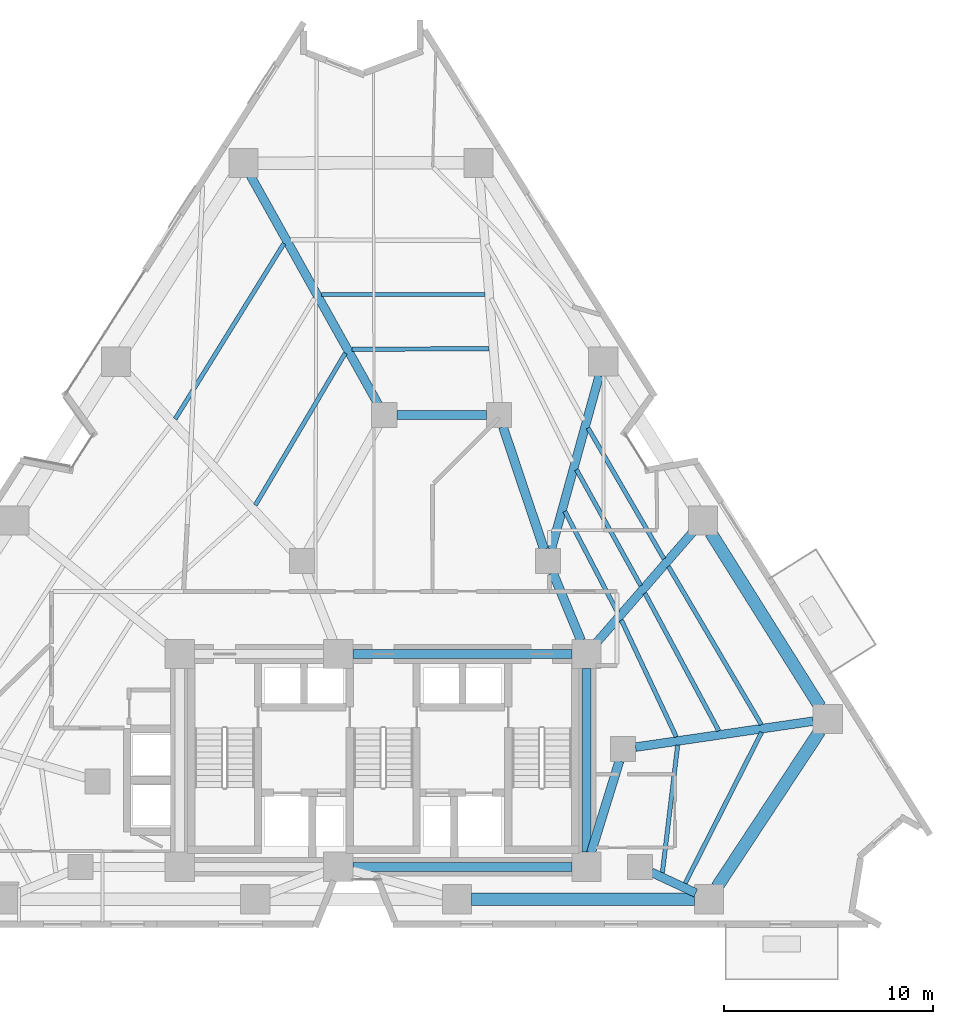
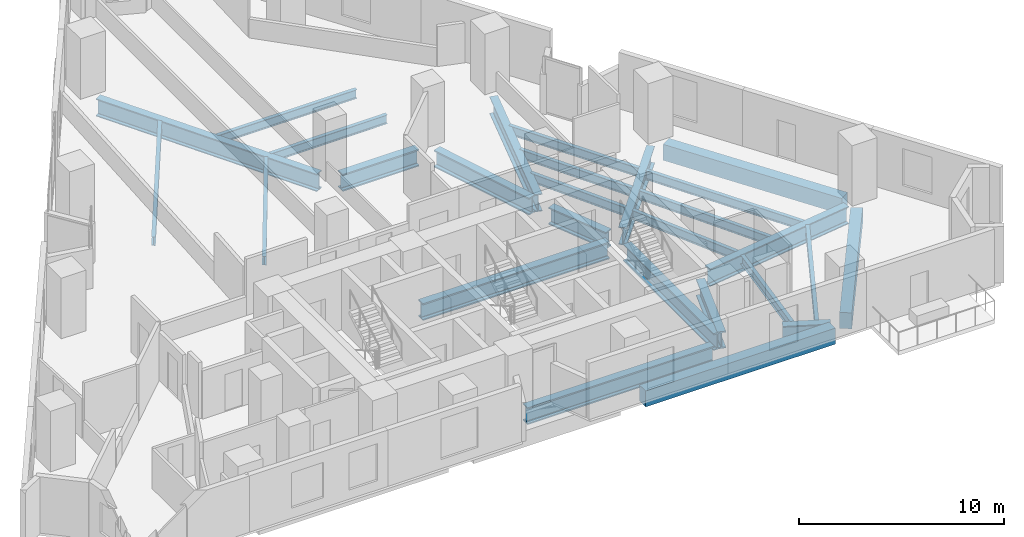
# One storey, part 3 of 12: 27 beams.
"""IFC4 building model written with IfcOpenShell, lengths in metres."""

from ifc_helpers import new_model, si_unit, direction, frame, origin, origin_2d, place, context, subcontext, project, spatial, rectangle, i_section, extrude, material, material_profile, profile_set, type_object, element, save


model = new_model("IFC4")

# Units and contexts
model_context = context("Model", 3, precision=1e-05, world=origin(), true_north=direction((0.0, 1.0)))
body_context = subcontext(model_context, "Body", "Model", "MODEL_VIEW")
ifc_project = project(units=[si_unit("LENGTHUNIT", "METRE"), si_unit("AREAUNIT", "SQUARE_METRE"), si_unit("VOLUMEUNIT", "CUBIC_METRE"), si_unit("PLANEANGLEUNIT", "RADIAN"), si_unit("MASSUNIT", "GRAM", prefix="KILO")], contexts=[model_context])

# Site, building, storey
site_placement = place(None, origin())
site = spatial("IfcSite", under=ifc_project, at=site_placement, CompositionType="ELEMENT")
building_placement = place(site_placement, origin())
building = spatial("IfcBuilding", under=site, at=building_placement, Name="Almagre Mirador Tower", CompositionType="ELEMENT")
storey_placement = place(building_placement, frame((0.0, 0.0, 71.39990234375)))
storey = spatial("IfcBuildingStorey", under=building, at=storey_placement, Name="L17", CompositionType="ELEMENT", Elevation=71.39990234375)

# Beams
ifc_material_1 = material(Name="Steel ASTM A992 Grade 50", Category="steel")
ifc_material_profile_1 = material_profile(ifc_material_1, i_section(OverallWidth=0.208984375, OverallDepth=0.532958984375, WebThickness=0.01025390625, FlangeThickness=0.015625, FilletRadius=0.01806640625, at=origin_2d()), Name="W21X62")
ifc_profile_set_1 = profile_set([ifc_material_profile_1], Name="Steel ASTM A992 Grade 50")
beam_type_1 = type_object("IfcBeamType", Name="BM-JST-W21X62", PredefinedType="JOIST", material=ifc_profile_set_1)
beam_1_placement = place(storey_placement, frame((51.77490234375, 3.763427734375, -0.516357421875), z_axis=(0.45132909199, 0.892357580079, 0.0), x_axis=(-0.892357580079, 0.45132909199, 0.0)))
element("IfcBeam", 1, at=beam_1_placement, inside=storey, type_object=beam_type_1, Name="L17 secondary floor joist PC04-PC05.1", PredefinedType="JOIST", context=body_context, shape_type="SweptSolid", body=[
    extrude(i_section(OverallWidth=0.208984375, OverallDepth=0.532958984375, WebThickness=0.01025390625, FlangeThickness=0.015625, FilletRadius=0.01806640625, at=origin_2d()), origin(), (0.0, 0.0, 1.0), 8.10595703125),
])
beam_2_placement = place(storey_placement, frame((50.6806640625, 4.263916015625, -0.516357421875), z_axis=(0.119026397741, 0.99289109002, 0.0), x_axis=(-0.99289109002, 0.119026397741, 0.0)))
element("IfcBeam", 2, at=beam_2_placement, inside=storey, type_object=beam_type_1, Name="L17 secondary floor joist PC04-PC05.3", PredefinedType="JOIST", context=body_context, shape_type="SweptSolid", body=[
    extrude(i_section(OverallWidth=0.208984375, OverallDepth=0.532958984375, WebThickness=0.01025390625, FlangeThickness=0.015625, FilletRadius=0.01806640625, at=origin_2d()), origin(), (0.0, 0.0, 1.0), 6.157470703125),
])
beam_3_placement = place(storey_placement, frame((55.421875, 11.364501953125, -0.516357421875), z_axis=(-0.506385486281, 0.86230721862, 0.0), x_axis=(-0.86230721862, -0.506385486281, 0.0)))
element("IfcBeam", 3, at=beam_3_placement, inside=storey, type_object=beam_type_1, Name="L17 secondary floor joist PC05-PC06.1", PredefinedType="JOIST", context=body_context, shape_type="SweptSolid", body=[
    extrude(i_section(OverallWidth=0.208984375, OverallDepth=0.532958984375, WebThickness=0.01025390625, FlangeThickness=0.015625, FilletRadius=0.01806640625, at=origin_2d()), origin(), (0.0, 0.0, 1.0), 8.79443359375),
])
beam_4_placement = place(storey_placement, frame((53.384033203125, 11.0693359375, -0.516357421875), z_axis=(-0.473167442946, 0.880972514291, 0.0), x_axis=(-0.880972514291, -0.473167442946, 0.0)))
element("IfcBeam", 4, at=beam_4_placement, inside=storey, type_object=beam_type_1, Name="L17 secondary floor joist PC05-PC06.2", PredefinedType="JOIST", context=body_context, shape_type="SweptSolid", body=[
    extrude(i_section(OverallWidth=0.208984375, OverallDepth=0.532958984375, WebThickness=0.01025390625, FlangeThickness=0.015625, FilletRadius=0.01806640625, at=origin_2d()), origin(), (0.0, 0.0, 1.0), 7.481689453125),
])
beam_5_placement = place(storey_placement, frame((51.34912109375, 10.775390625, -0.516357421875), z_axis=(-0.425658253991, 0.904883998538, 0.0), x_axis=(-0.904883998538, -0.425658253991, 0.0)))
element("IfcBeam", 5, at=beam_5_placement, inside=storey, type_object=beam_type_1, Name="L17 secondary floor joist PC05-PC06.3", PredefinedType="JOIST", context=body_context, shape_type="SweptSolid", body=[
    extrude(i_section(OverallWidth=0.208984375, OverallDepth=0.532958984375, WebThickness=0.01025390625, FlangeThickness=0.015625, FilletRadius=0.01806640625, at=origin_2d()), origin(), (0.0, 0.0, 1.0), 6.184814453125),
])
beam_6_placement = place(storey_placement, frame((50.75732421875, 19.309814453125, -0.516357421875), z_axis=(-0.501684848086, 0.865050468586, 0.0), x_axis=(-0.865050468586, -0.501684848086, 0.0)))
element("IfcBeam", 6, at=beam_6_placement, inside=storey, type_object=beam_type_1, Name="L17 secondary floor joist PC06-PC07.1", PredefinedType="JOIST", context=body_context, shape_type="SweptSolid", body=[
    extrude(i_section(OverallWidth=0.208984375, OverallDepth=0.532958984375, WebThickness=0.01025390625, FlangeThickness=0.015625, FilletRadius=0.01806640625, at=origin_2d()), origin(), (0.0, 0.0, 1.0), 7.25439453125),
])
beam_7_placement = place(storey_placement, frame((49.643310546875, 18.0283203125, -0.516357421875), z_axis=(-0.484660833116, 0.87470216465, 0.0), x_axis=(-0.87470216465, -0.484660833116, 0.0)))
element("IfcBeam", 7, at=beam_7_placement, inside=storey, type_object=beam_type_1, Name="L17 secondary floor joist PC06-PC07.2", PredefinedType="JOIST", context=body_context, shape_type="SweptSolid", body=[
    extrude(i_section(OverallWidth=0.208984375, OverallDepth=0.532958984375, WebThickness=0.01025390625, FlangeThickness=0.015625, FilletRadius=0.01806640625, at=origin_2d()), origin(), (0.0, 0.0, 1.0), 6.355224609375),
])
beam_8_placement = place(storey_placement, frame((48.530517578125, 16.747314453125, -0.516357421875), z_axis=(-0.462141076128, 0.88680641955, 0.0), x_axis=(-0.88680641955, -0.462141076128, 0.0)))
element("IfcBeam", 8, at=beam_8_placement, inside=storey, type_object=beam_type_1, Name="L17 secondary floor joist PC06-PC07.3", PredefinedType="JOIST", context=body_context, shape_type="SweptSolid", body=[
    extrude(i_section(OverallWidth=0.208984375, OverallDepth=0.532958984375, WebThickness=0.01025390625, FlangeThickness=0.015625, FilletRadius=0.01806640625, at=origin_2d()), origin(), (0.0, 0.0, 1.0), 5.459228515625),
])
beam_9_placement = place(storey_placement, frame((42.168212890625, 31.979248046875, -0.516357421875), z_axis=(-0.999999987869, -0.000155763238, 0.0), x_axis=(0.000155763238, -0.999999987869, 0.0)))
element("IfcBeam", 9, at=beam_9_placement, inside=storey, type_object=beam_type_1, Name="L17 secondary floor joist PC08-PC09.2", PredefinedType="JOIST", context=body_context, shape_type="SweptSolid", body=[
    extrude(i_section(OverallWidth=0.208984375, OverallDepth=0.532958984375, WebThickness=0.01025390625, FlangeThickness=0.015625, FilletRadius=0.01806640625, at=origin_2d()), origin(), (0.0, 0.0, 1.0), 7.8369140625),
])
beam_10_placement = place(storey_placement, frame((42.3798828125, 29.387451171875, -0.516357421875), z_axis=(-0.999985531686, -0.0053792581, 0.0), x_axis=(0.0053792581, -0.999985531686, 0.0)))
element("IfcBeam", 10, at=beam_10_placement, inside=storey, type_object=beam_type_1, Name="L17 secondary floor joist PC08-PC09.3", PredefinedType="JOIST", context=body_context, shape_type="SweptSolid", body=[
    extrude(i_section(OverallWidth=0.208984375, OverallDepth=0.532958984375, WebThickness=0.01025390625, FlangeThickness=0.015625, FilletRadius=0.01806640625, at=origin_2d()), origin(), (0.0, 0.0, 1.0), 6.580810546875),
])
beam_11_placement = place(storey_placement, frame((32.54345703125, 34.427001953125, -0.516357421875), z_axis=(-0.526750382105, -0.850020020324, 0.0), x_axis=(0.850020020324, -0.526750382105, 0.0)))
element("IfcBeam", 11, at=beam_11_placement, inside=storey, type_object=beam_type_1, Name="L17 secondary floor joist PC09-PC10.1", PredefinedType="JOIST", context=body_context, shape_type="SweptSolid", body=[
    extrude(i_section(OverallWidth=0.208984375, OverallDepth=0.532958984375, WebThickness=0.01025390625, FlangeThickness=0.015625, FilletRadius=0.01806640625, at=origin_2d()), origin(), (0.0, 0.0, 1.0), 9.89501953125),
])
beam_12_placement = place(storey_placement, frame((35.48291015625, 29.17041015625, -0.516357421875), z_axis=(-0.509081080746, -0.860718567957, 0.0), x_axis=(0.860718567957, -0.509081080746, 0.0)))
element("IfcBeam", 12, at=beam_12_placement, inside=storey, type_object=beam_type_1, Name="L17 secondary floor joist PC09-PC10.3", PredefinedType="JOIST", context=body_context, shape_type="SweptSolid", body=[
    extrude(i_section(OverallWidth=0.208984375, OverallDepth=0.532958984375, WebThickness=0.01025390625, FlangeThickness=0.015625, FilletRadius=0.01806640625, at=origin_2d()), origin(), (0.0, 0.0, 1.0), 8.46337890625),
])
ifc_material_2 = material(Name="Precast concrete C50/60", Category="concrete")
ifc_material_profile_2 = material_profile(ifc_material_2, rectangle(XDim=0.60009765625, YDim=0.949951171875, at=origin_2d()), Name="RC600X950")
ifc_profile_set_2 = profile_set([ifc_material_profile_2], Name="Precast concrete C50/60")
beam_type_2 = type_object("IfcBeamType", Name="BM-SPN-RC600X950", PredefinedType="SPANDREL", material=ifc_profile_set_2)
beam_13_placement = place(storey_placement, frame((41.531982421875, 3.0, -0.724853515625), z_axis=(1.0, 0.0, 0.0), x_axis=(0.0, 1.0, 0.0)))
element("IfcBeam", 13, at=beam_13_placement, inside=storey, type_object=beam_type_2, Name="L17 perimeter spandrel beam PC03-PC04", PredefinedType="SPANDREL", context=body_context, shape_type="SweptSolid", body=[
    extrude(rectangle(XDim=0.60009765625, YDim=0.949951171875, at=origin_2d()), origin(), (0.0, 0.0, 1.0), 10.679931640625),
])
beam_14_placement = place(storey_placement, frame((53.29736328125, 3.58447265625, -0.724853515625), z_axis=(0.550560338686, 0.834795372211, 0.0), x_axis=(-0.834795372211, 0.550560338686, 0.0)))
element("IfcBeam", 14, at=beam_14_placement, inside=storey, type_object=beam_type_2, Name="L17 perimeter spandrel beam PC04-PC05", PredefinedType="SPANDREL", context=body_context, shape_type="SweptSolid", body=[
    extrude(rectangle(XDim=0.60009765625, YDim=0.949951171875, at=origin_2d()), origin(), (0.0, 0.0, 1.0), 8.9423828125),
])
beam_15_placement = place(storey_placement, frame((58.233642578125, 12.226806640625, -0.724853515625), z_axis=(-0.531919552243, 0.846794892487, 0.0), x_axis=(-0.846794892487, -0.531919552243, 0.0)))
element("IfcBeam", 15, at=beam_15_placement, inside=storey, type_object=beam_type_2, Name="L17 perimeter spandrel beam PC05-PC06", PredefinedType="SPANDREL", context=body_context, shape_type="SweptSolid", body=[
    extrude(rectangle(XDim=0.60009765625, YDim=0.949951171875, at=origin_2d()), origin(), (0.0, 0.0, 1.0), 9.84228515625),
])
ifc_material_3 = material(Name="Steel ASTM A992 Grade 50", Category="steel")
ifc_material_profile_3 = material_profile(ifc_material_3, i_section(OverallWidth=0.43701171875, OverallDepth=1.010986328125, WebThickness=0.041015625, FlangeThickness=0.073974609375, FilletRadius=0.028076171875, at=origin_2d()), Name="W36X529")
ifc_profile_set_3 = profile_set([ifc_material_profile_3], Name="Steel ASTM A992 Grade 50")
beam_type_3 = type_object("IfcBeamType", Name="BM-STL-W36X529", PredefinedType="BEAM", material=ifc_profile_set_3)
beam_16_placement = place(storey_placement, frame((37.949951171875, 26.199951171875, -0.75537109375), z_axis=(1.0, 0.0, 0.0), x_axis=(0.0, 1.0, 0.0)))
element("IfcBeam", 16, at=beam_16_placement, inside=storey, type_object=beam_type_3, Name="L17 core tie girder MC7-MC6", PredefinedType="BEAM", context=body_context, shape_type="SweptSolid", body=[
    extrude(i_section(OverallWidth=0.43701171875, OverallDepth=1.010986328125, WebThickness=0.041015625, FlangeThickness=0.073974609375, FilletRadius=0.028076171875, at=origin_2d()), origin(), (0.0, 0.0, 1.0), 4.300048828125),
])
for number, where, z_axis, x_axis, name in (
    (17, (35.85009765625, 4.550048828125, -0.75537109375), (1.0, 0.0, 0.0), (0.0, 1.0, 0.0), "L17 core tie girder CC2-CC3"),
    (18, (35.85009765625, 14.75, -0.75537109375), (1.0, 0.0, 0.0), (0.0, 1.0, 0.0), "L17 core tie girder CC5-CC6"),
):
    element("IfcBeam", number, at=place(storey_placement, frame(where, z_axis=z_axis, x_axis=x_axis)), inside=storey, type_object=beam_type_3, Name=name, PredefinedType="BEAM", context=body_context, shape_type="SweptSolid", body=[
        extrude(i_section(OverallWidth=0.43701171875, OverallDepth=1.010986328125, WebThickness=0.041015625, FlangeThickness=0.073974609375, FilletRadius=0.028076171875, at=origin_2d()), origin(), (0.0, 0.0, 1.0), 10.5),
    ])
beam_17_placement = place(storey_placement, frame((47.050048828125, 5.25, -0.75537109375), z_axis=(0.0, 1.0, 0.0), x_axis=(-1.0, 0.0, 0.0)))
element("IfcBeam", 19, at=beam_17_placement, inside=storey, type_object=beam_type_3, Name="L17 core tie girder CC3-CC6", PredefinedType="BEAM", context=body_context, shape_type="SweptSolid", body=[
    extrude(i_section(OverallWidth=0.43701171875, OverallDepth=1.010986328125, WebThickness=0.041015625, FlangeThickness=0.073974609375, FilletRadius=0.028076171875, at=origin_2d()), origin(), (0.0, 0.0, 1.0), 8.800048828125),
])
beam_18_placement = place(storey_placement, frame((48.62255859375, 9.626953125, -0.75537109375), z_axis=(-0.295888328273, -0.955222538046, 0.0), x_axis=(0.955222538046, -0.295888328273, 0.0)))
element("IfcBeam", 20, at=beam_18_placement, inside=storey, type_object=beam_type_3, Name="L17 core tie girder MC3-CC3", PredefinedType="BEAM", context=body_context, shape_type="SweptSolid", body=[
    extrude(i_section(OverallWidth=0.43701171875, OverallDepth=1.010986328125, WebThickness=0.041015625, FlangeThickness=0.073974609375, FilletRadius=0.028076171875, at=origin_2d()), origin(), (0.0, 0.0, 1.0), 4.61474609375),
])
beam_19_placement = place(storey_placement, frame((45.430419921875, 18.64599609375, -0.75537109375), z_axis=(0.383856635851, -0.923392702545, 0.0), x_axis=(0.923392702545, 0.383856635851, 0.0)))
element("IfcBeam", 21, at=beam_19_placement, inside=storey, type_object=beam_type_3, Name="L17 core tie girder MC5-CC6", PredefinedType="BEAM", context=body_context, shape_type="SweptSolid", body=[
    extrude(i_section(OverallWidth=0.43701171875, OverallDepth=1.010986328125, WebThickness=0.041015625, FlangeThickness=0.073974609375, FilletRadius=0.028076171875, at=origin_2d()), origin(), (0.0, 0.0, 1.0), 3.51904296875),
])
beam_20_placement = place(storey_placement, frame((43.041015625, 25.631103515625, -0.75537109375), z_axis=(0.318252395552, -0.948006019351, 0.0), x_axis=(0.948006019351, 0.318252395552, 0.0)))
element("IfcBeam", 22, at=beam_20_placement, inside=storey, type_object=beam_type_3, Name="L17 core tie girder MC6-MC5", PredefinedType="BEAM", context=body_context, shape_type="SweptSolid", body=[
    extrude(i_section(OverallWidth=0.43701171875, OverallDepth=1.010986328125, WebThickness=0.041015625, FlangeThickness=0.073974609375, FilletRadius=0.028076171875, at=origin_2d()), origin(), (0.0, 0.0, 1.0), 6.183837890625),
])
ifc_material_4 = material(Name="Steel ASTM A913 Grade 65", Category="steel")
ifc_material_profile_4 = material_profile(ifc_material_4, i_section(OverallWidth=0.4189453125, OverallDepth=1.041015625, WebThickness=0.031005859375, FlangeThickness=0.055908203125, FilletRadius=0.030029296875, at=origin_2d()), Name="W40X397")
ifc_profile_set_4 = profile_set([ifc_material_profile_4], Name="Steel ASTM A913 Grade 65")
beam_type_4 = type_object("IfcBeamType", Name="BM-STL-W40X397", PredefinedType="BEAM", material=ifc_profile_set_4)
beam_21_placement = place(storey_placement, frame((52.278076171875, 3.296630859375, -0.7705078125), z_axis=(-0.905727455925, 0.423860561487, 0.0), x_axis=(-0.423860561487, -0.905727455925, 0.0)))
element("IfcBeam", 23, at=beam_21_placement, inside=storey, type_object=beam_type_4, Name="L17 radial floor girder PC04-MC2", PredefinedType="BEAM", context=body_context, shape_type="SweptSolid", body=[
    extrude(i_section(OverallWidth=0.4189453125, OverallDepth=1.041015625, WebThickness=0.031005859375, FlangeThickness=0.055908203125, FilletRadius=0.030029296875, at=origin_2d()), origin(), (0.0, 0.0, 1.0), 2.35693359375),
])
beam_22_placement = place(storey_placement, frame((57.913330078125, 11.53271484375, -0.7705078125), z_axis=(-0.989476218812, -0.144695585299, 0.0), x_axis=(0.144695585299, -0.989476218812, 0.0)))
element("IfcBeam", 24, at=beam_22_placement, inside=storey, type_object=beam_type_4, Name="L17 radial floor girder PC05-MC3", PredefinedType="BEAM", context=body_context, shape_type="SweptSolid", body=[
    extrude(i_section(OverallWidth=0.4189453125, OverallDepth=1.041015625, WebThickness=0.031005859375, FlangeThickness=0.055908203125, FilletRadius=0.030029296875, at=origin_2d()), origin(), (0.0, 0.0, 1.0), 8.610107421875),
])
beam_23_placement = place(storey_placement, frame((52.166259765625, 20.626220703125, -0.7705078125), z_axis=(-0.6566380112, -0.7542058885, 0.0), x_axis=(0.7542058885, -0.6566380112, 0.0)))
element("IfcBeam", 25, at=beam_23_placement, inside=storey, type_object=beam_type_4, Name="L17 radial floor girder PC06-CC6", PredefinedType="BEAM", context=body_context, shape_type="SweptSolid", body=[
    extrude(i_section(OverallWidth=0.4189453125, OverallDepth=1.041015625, WebThickness=0.031005859375, FlangeThickness=0.055908203125, FilletRadius=0.030029296875, at=origin_2d()), origin(), (0.0, 0.0, 1.0), 7.09130859375),
])
beam_24_placement = place(storey_placement, frame((47.65576171875, 28.09521484375, -0.7705078125), z_axis=(-0.266125752787, -0.96393831945, 0.0), x_axis=(0.96393831945, -0.266125752787, 0.0)))
element("IfcBeam", 26, at=beam_24_placement, inside=storey, type_object=beam_type_4, Name="L17 radial floor girder PC07-MC5", PredefinedType="BEAM", context=body_context, shape_type="SweptSolid", body=[
    extrude(i_section(OverallWidth=0.4189453125, OverallDepth=1.041015625, WebThickness=0.031005859375, FlangeThickness=0.055908203125, FilletRadius=0.030029296875, at=origin_2d()), origin(), (0.0, 0.0, 1.0), 8.6279296875),
])
beam_25_placement = place(storey_placement, frame((30.94140625, 37.669921875, -0.7705078125), z_axis=(0.487764189082, -0.87297542683, 0.0), x_axis=(0.87297542683, 0.487764189082, 0.0)))
element("IfcBeam", 27, at=beam_25_placement, inside=storey, type_object=beam_type_4, Name="L17 radial floor girder PC09-MC7", PredefinedType="BEAM", context=body_context, shape_type="SweptSolid", body=[
    extrude(i_section(OverallWidth=0.4189453125, OverallDepth=1.041015625, WebThickness=0.031005859375, FlangeThickness=0.055908203125, FilletRadius=0.030029296875, at=origin_2d()), origin(), (0.0, 0.0, 1.0), 12.538818359375),
])

save(model, "model.ifc")
